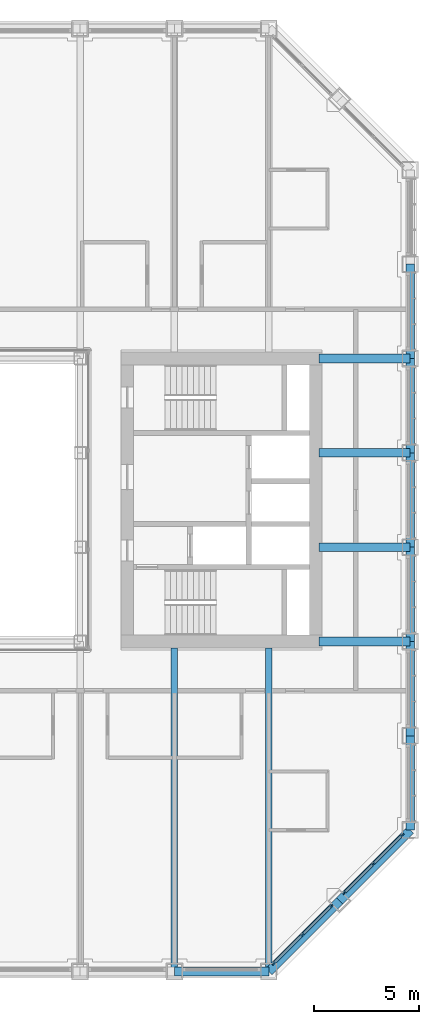
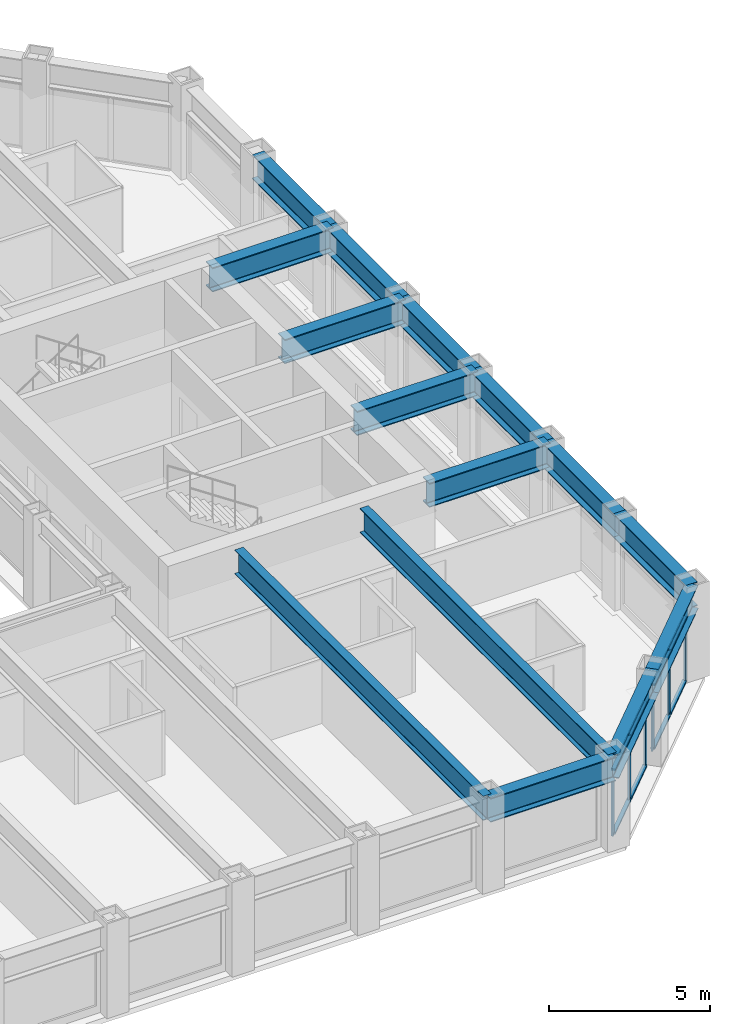
# One storey, part 6 of 17: 15 beams, 14 members, 2 elements without a shape of their own.
"""IFC4 building model written with IfcOpenShell, lengths in metres."""

from ifc_helpers import new_model, si_unit, direction, frame, origin, origin_2d, place, context, subcontext, project, spatial, rectangle, i_section, extrude, material, material_profile, profile_set, type_object, element, aggregate, save


model = new_model("IFC4")

# Units and contexts
model_context = context("Model", 3, precision=1e-05, world=origin(), true_north=direction((0.0, 1.0)))
body_context = subcontext(model_context, "Body", "Model", "MODEL_VIEW")
ifc_project = project(units=[si_unit("LENGTHUNIT", "METRE"), si_unit("AREAUNIT", "SQUARE_METRE"), si_unit("VOLUMEUNIT", "CUBIC_METRE"), si_unit("PLANEANGLEUNIT", "RADIAN"), si_unit("MASSUNIT", "GRAM", prefix="KILO")], contexts=[model_context])

# Site, building, storey
site_placement = place(None, origin())
site = spatial("IfcSite", under=ifc_project, at=site_placement, CompositionType="ELEMENT")
building_placement = place(site_placement, origin())
building = spatial("IfcBuilding", under=site, at=building_placement, Name="Msasa Ring Tower", CompositionType="ELEMENT")
storey_placement = place(building_placement, frame((0.0, 0.0, 129.199951171875)))
storey = spatial("IfcBuildingStorey", under=building, at=storey_placement, Name="L33", CompositionType="ELEMENT", Elevation=129.199951171875)

# Curtain wall, members
ifc_material_1 = material(Name="Aluminium curtain wall with clear glass", Category="aluminium")
curtain_wall_type = type_object("IfcCurtainWallType", Name="CW-C CHAMFER CORNER CURTAIN WALL", PredefinedType="NOTDEFINED", material=ifc_material_1)
curtain_wall_1_placement = place(storey_placement, origin())
curtain_wall_1 = element("IfcCurtainWall", 1, at=curtain_wall_1_placement, inside=storey, type_object=curtain_wall_type, Name="Chamfer corner curtain wall SE L33", PredefinedType="NOTDEFINED")
ifc_material_2 = material(Name="Aluminium mullion", Category="aluminium")
ifc_material_profile_1 = material_profile(ifc_material_2, rectangle(XDim=0.06494140625, YDim=0.179931640625, at=origin_2d()), Name="AL 65x180")
ifc_profile_set_1 = profile_set([ifc_material_profile_1], Name="Aluminium mullion")
member_type_1 = type_object("IfcMemberType", Name="CW-C MULLION 65x180", PredefinedType="MULLION", material=ifc_profile_set_1)
member_1_placement = place(storey_placement, frame((15.98876953125, -22.119873046875, 0.0), z_axis=(0.0, 0.0, 1.0), x_axis=(-0.707106781187, 0.707106781187, 0.0)))
member_1 = element("IfcMember", 2, at=member_1_placement, type_object=member_type_1, Name="CW-C mullion 1", PredefinedType="MULLION", context=body_context, shape_type="SweptSolid", body=[
    extrude(rectangle(XDim=0.06494140625, YDim=0.179931640625, at=origin_2d()), origin(), (0.0, 0.0, 1.0), 2.47900390625),
])
member_2_placement = place(storey_placement, frame((17.36669921875, -20.74169921875, 0.0), z_axis=(0.0, 0.0, 1.0), x_axis=(-0.707106781187, 0.707106781187, 0.0)))
member_2 = element("IfcMember", 3, at=member_2_placement, type_object=member_type_1, Name="CW-C mullion 2", PredefinedType="MULLION", context=body_context, shape_type="SweptSolid", body=[
    extrude(rectangle(XDim=0.06494140625, YDim=0.179931640625, at=origin_2d()), origin(), (0.0, 0.0, 1.0), 2.47900390625),
])
member_3_placement = place(storey_placement, frame((18.744873046875, -19.36376953125, 0.0), z_axis=(0.0, 0.0, 1.0), x_axis=(-0.707106781187, 0.707106781187, 0.0)))
member_3 = element("IfcMember", 4, at=member_3_placement, type_object=member_type_1, Name="CW-C mullion 3", PredefinedType="MULLION", context=body_context, shape_type="SweptSolid", body=[
    extrude(rectangle(XDim=0.06494140625, YDim=0.179931640625, at=origin_2d()), origin(), (0.0, 0.0, 1.0), 2.47900390625),
])

curtain_wall_2_placement = place(storey_placement, origin())
curtain_wall_2 = element("IfcCurtainWall", 5, at=curtain_wall_2_placement, inside=storey, type_object=curtain_wall_type, Name="Chamfer corner curtain wall SE L33", PredefinedType="NOTDEFINED")
member_4_placement = place(storey_placement, frame((19.36376953125, -18.744873046875, 0.0), z_axis=(0.0, 0.0, 1.0), x_axis=(-0.707106781187, 0.707106781187, 0.0)))
member_4 = element("IfcMember", 6, at=member_4_placement, type_object=member_type_1, Name="CW-C mullion 1", PredefinedType="MULLION", context=body_context, shape_type="SweptSolid", body=[
    extrude(rectangle(XDim=0.06494140625, YDim=0.179931640625, at=origin_2d()), origin(), (0.0, 0.0, 1.0), 2.47900390625),
])
member_5_placement = place(storey_placement, frame((20.74169921875, -17.36669921875, 0.0), z_axis=(0.0, 0.0, 1.0), x_axis=(-0.707106781187, 0.707106781187, 0.0)))
member_5 = element("IfcMember", 7, at=member_5_placement, type_object=member_type_1, Name="CW-C mullion 2", PredefinedType="MULLION", context=body_context, shape_type="SweptSolid", body=[
    extrude(rectangle(XDim=0.06494140625, YDim=0.179931640625, at=origin_2d()), origin(), (0.0, 0.0, 1.0), 2.47900390625),
])
member_6_placement = place(storey_placement, frame((22.119873046875, -15.98876953125, 0.0), z_axis=(0.0, 0.0, 1.0), x_axis=(-0.707106781187, 0.707106781187, 0.0)))
member_6 = element("IfcMember", 8, at=member_6_placement, type_object=member_type_1, Name="CW-C mullion 3", PredefinedType="MULLION", context=body_context, shape_type="SweptSolid", body=[
    extrude(rectangle(XDim=0.06494140625, YDim=0.179931640625, at=origin_2d()), origin(), (0.0, 0.0, 1.0), 2.47900390625),
])

# Member
ifc_material_3 = material(Name="Aluminium transom", Category="aluminium")
ifc_material_profile_2 = material_profile(ifc_material_3, rectangle(XDim=0.139892578125, YDim=0.06494140625, at=origin_2d()), Name="AL 65x140")
ifc_profile_set_2 = profile_set([ifc_material_profile_2], Name="Aluminium transom")
member_type_2 = type_object("IfcMemberType", Name="CW-C TRANSOM 65x140", PredefinedType="USERDEFINED", material=ifc_profile_set_2)
member_7_placement = place(storey_placement, frame((16.01171875, -22.096923828125, 0.032470703125), z_axis=(0.707106781187, 0.707106781187, 0.0), x_axis=(-0.707106781187, 0.707106781187, 0.0)))
member_7 = element("IfcMember", 9, at=member_7_placement, type_object=member_type_2, Name="CW-C transom 1.1", ObjectType="TRANSOM", PredefinedType="USERDEFINED", context=body_context, shape_type="SweptSolid", body=[
    extrude(rectangle(XDim=0.139892578125, YDim=0.06494140625, at=origin_2d()), origin(), (0.0, 0.0, 1.0), 1.8837890625),
])

member_8_placement = place(storey_placement, frame((16.01171875, -22.096923828125, 2.446533203125), z_axis=(0.707106781187, 0.707106781187, 0.0), x_axis=(-0.707106781187, 0.707106781187, 0.0)))
member_8 = element("IfcMember", 10, at=member_8_placement, type_object=member_type_2, Name="CW-C transom 1.2", ObjectType="TRANSOM", PredefinedType="USERDEFINED", context=body_context, shape_type="SweptSolid", body=[
    extrude(rectangle(XDim=0.139892578125, YDim=0.06494140625, at=origin_2d()), origin(), (0.0, 0.0, 1.0), 1.8837890625),
])

member_9_placement = place(storey_placement, frame((17.389892578125, -20.71875, 0.032470703125), z_axis=(0.707106781187, 0.707106781187, 0.0), x_axis=(-0.707106781187, 0.707106781187, 0.0)))
member_9 = element("IfcMember", 11, at=member_9_placement, type_object=member_type_2, Name="CW-C transom 2.1", ObjectType="TRANSOM", PredefinedType="USERDEFINED", context=body_context, shape_type="SweptSolid", body=[
    extrude(rectangle(XDim=0.139892578125, YDim=0.06494140625, at=origin_2d()), origin(), (0.0, 0.0, 1.0), 1.8837890625),
])

member_10_placement = place(storey_placement, frame((17.389892578125, -20.71875, 2.446533203125), z_axis=(0.707106781187, 0.707106781187, 0.0), x_axis=(-0.707106781187, 0.707106781187, 0.0)))
member_10 = element("IfcMember", 12, at=member_10_placement, type_object=member_type_2, Name="CW-C transom 2.2", ObjectType="TRANSOM", PredefinedType="USERDEFINED", context=body_context, shape_type="SweptSolid", body=[
    extrude(rectangle(XDim=0.139892578125, YDim=0.06494140625, at=origin_2d()), origin(), (0.0, 0.0, 1.0), 1.8837890625),
])

aggregate(curtain_wall_1, [member_1, member_2, member_3, member_7, member_8, member_9, member_10])

member_11_placement = place(storey_placement, frame((19.38671875, -18.721923828125, 0.032470703125), z_axis=(0.707106781187, 0.707106781187, 0.0), x_axis=(-0.707106781187, 0.707106781187, 0.0)))
member_11 = element("IfcMember", 13, at=member_11_placement, type_object=member_type_2, Name="CW-C transom 1.1", ObjectType="TRANSOM", PredefinedType="USERDEFINED", context=body_context, shape_type="SweptSolid", body=[
    extrude(rectangle(XDim=0.139892578125, YDim=0.06494140625, at=origin_2d()), origin(), (0.0, 0.0, 1.0), 1.8837890625),
])

member_12_placement = place(storey_placement, frame((19.38671875, -18.721923828125, 2.446533203125), z_axis=(0.707106781187, 0.707106781187, 0.0), x_axis=(-0.707106781187, 0.707106781187, 0.0)))
member_12 = element("IfcMember", 14, at=member_12_placement, type_object=member_type_2, Name="CW-C transom 1.2", ObjectType="TRANSOM", PredefinedType="USERDEFINED", context=body_context, shape_type="SweptSolid", body=[
    extrude(rectangle(XDim=0.139892578125, YDim=0.06494140625, at=origin_2d()), origin(), (0.0, 0.0, 1.0), 1.8837890625),
])

member_13_placement = place(storey_placement, frame((20.764892578125, -17.34375, 0.032470703125), z_axis=(0.707106781187, 0.707106781187, 0.0), x_axis=(-0.707106781187, 0.707106781187, 0.0)))
member_13 = element("IfcMember", 15, at=member_13_placement, type_object=member_type_2, Name="CW-C transom 2.1", ObjectType="TRANSOM", PredefinedType="USERDEFINED", context=body_context, shape_type="SweptSolid", body=[
    extrude(rectangle(XDim=0.139892578125, YDim=0.06494140625, at=origin_2d()), origin(), (0.0, 0.0, 1.0), 1.8837890625),
])

member_14_placement = place(storey_placement, frame((20.764892578125, -17.34375, 2.446533203125), z_axis=(0.707106781187, 0.707106781187, 0.0), x_axis=(-0.707106781187, 0.707106781187, 0.0)))
member_14 = element("IfcMember", 16, at=member_14_placement, type_object=member_type_2, Name="CW-C transom 2.2", ObjectType="TRANSOM", PredefinedType="USERDEFINED", context=body_context, shape_type="SweptSolid", body=[
    extrude(rectangle(XDim=0.139892578125, YDim=0.06494140625, at=origin_2d()), origin(), (0.0, 0.0, 1.0), 1.8837890625),
])

aggregate(curtain_wall_2, [member_4, member_5, member_6, member_11, member_12, member_13, member_14])

# Beams
ifc_material_4 = material(Name="Steel S355", Category="steel")
ifc_material_profile_3 = material_profile(ifc_material_4, i_section(OverallWidth=0.42041015625, OverallDepth=0.9208984375, WebThickness=0.021484375, FlangeThickness=0.03662109375, FilletRadius=0.024169921875, at=origin_2d()), Name="UB 914x419x388")
ifc_profile_set_3 = profile_set([ifc_material_profile_3], Name="Steel S355")
beam_type_1 = type_object("IfcBeamType", Name="FB2 UB 914x419x388", PredefinedType="BEAM", material=ifc_profile_set_3)
for number, where, z_axis, x_axis, name in (
    (17, (22.5, -2.25, 2.939453125), (-1.0, 0.0, 0.0), (0.0, -1.0, 0.0), "Floor beam E -2.25 under L34"),
    (18, (22.5, 2.25, 2.939453125), (-1.0, 0.0, 0.0), (0.0, -1.0, 0.0), "Floor beam E +2.25 under L34"),
):
    element("IfcBeam", number, at=place(storey_placement, frame(where, z_axis=z_axis, x_axis=x_axis)), inside=storey, type_object=beam_type_1, Name=name, PredefinedType="BEAM", context=body_context, shape_type="SweptSolid", body=[
        extrude(i_section(OverallWidth=0.42041015625, OverallDepth=0.9208984375, WebThickness=0.021484375, FlangeThickness=0.03662109375, FilletRadius=0.024169921875, at=origin_2d()), origin(), (0.0, 0.0, 1.0), 4.35009765625),
    ])
ifc_material_5 = material(Name="Steel S355", Category="steel")
ifc_material_profile_4 = material_profile(ifc_material_5, i_section(OverallWidth=0.3076171875, OverallDepth=0.926513671875, WebThickness=0.01953125, FlangeThickness=0.031982421875, FilletRadius=0.01904296875, at=origin_2d()), Name="UB 914x305x289")
ifc_profile_set_4 = profile_set([ifc_material_profile_4], Name="Steel S355")
beam_type_2 = type_object("IfcBeamType", Name="FB3 UB 914x305x289", PredefinedType="BEAM", material=ifc_profile_set_4)
for number, where, z_axis, x_axis, name in (
    (19, (11.25, -22.5, 2.936767578125), (0.0, 1.0, 0.0), (-1.0, 0.0, 0.0), "Floor beam S+11.25 under L34"),
    (20, (15.75, -22.5, 2.936767578125), (0.0, 1.0, 0.0), (-1.0, 0.0, 0.0), "Floor beam S+15.75 under L34"),
):
    element("IfcBeam", number, at=place(storey_placement, frame(where, z_axis=z_axis, x_axis=x_axis)), inside=storey, type_object=beam_type_2, Name=name, PredefinedType="BEAM", context=body_context, shape_type="SweptSolid", body=[
        extrude(i_section(OverallWidth=0.3076171875, OverallDepth=0.926513671875, WebThickness=0.01953125, FlangeThickness=0.031982421875, FilletRadius=0.01904296875, at=origin_2d()), origin(), (0.0, 0.0, 1.0), 15.449951171875),
    ])
ifc_material_6 = material(Name="Steel S355", Category="steel")
ifc_material_profile_5 = material_profile(ifc_material_6, i_section(OverallWidth=0.42041015625, OverallDepth=0.9208984375, WebThickness=0.021484375, FlangeThickness=0.03662109375, FilletRadius=0.024169921875, at=origin_2d()), Name="UB 914x419x388")
ifc_profile_set_5 = profile_set([ifc_material_profile_5], Name="Steel S355")
beam_type_3 = type_object("IfcBeamType", Name="GB1 UB 914x419x388", PredefinedType="BEAM", material=ifc_profile_set_5)
for number, where, z_axis, x_axis, name in (
    (21, (18.14990234375, 6.75, 2.939453125), (1.0, 0.0, 0.0), (0.0, 1.0, 0.0), "Girder E +6.75 under L34"),
    (22, (18.14990234375, -6.75, 2.939453125), (1.0, 0.0, 0.0), (0.0, 1.0, 0.0), "Girder E -6.75 under L34"),
):
    element("IfcBeam", number, at=place(storey_placement, frame(where, z_axis=z_axis, x_axis=x_axis)), inside=storey, type_object=beam_type_3, Name=name, PredefinedType="BEAM", context=body_context, shape_type="SweptSolid", body=[
        extrude(i_section(OverallWidth=0.42041015625, OverallDepth=0.9208984375, WebThickness=0.021484375, FlangeThickness=0.03662109375, FilletRadius=0.024169921875, at=origin_2d()), origin(), (0.0, 0.0, 1.0), 4.35009765625),
    ])
ifc_material_7 = material(Name="Steel S355", Category="steel")
ifc_material_profile_6 = material_profile(ifc_material_7, i_section(OverallWidth=0.42041015625, OverallDepth=0.9208984375, WebThickness=0.021484375, FlangeThickness=0.03662109375, FilletRadius=0.024169921875, at=origin_2d()), Name="UB 914x419x388")
ifc_profile_set_6 = profile_set([ifc_material_profile_6], Name="Steel S355")
beam_type_4 = type_object("IfcBeamType", Name="SB1 UB 914x419x388", PredefinedType="SPANDREL", material=ifc_profile_set_6)
beam_placement = place(storey_placement, frame((11.25, -22.5, 2.939453125), z_axis=(1.0, 0.0, 0.0), x_axis=(0.0, 1.0, 0.0)))
element("IfcBeam", 23, at=beam_placement, inside=storey, type_object=beam_type_4, Name="Spandrel S+11.25 to S+15.75 under L34", PredefinedType="SPANDREL", context=body_context, shape_type="SweptSolid", body=[
    extrude(i_section(OverallWidth=0.42041015625, OverallDepth=0.9208984375, WebThickness=0.021484375, FlangeThickness=0.03662109375, FilletRadius=0.024169921875, at=origin_2d()), origin(), (0.0, 0.0, 1.0), 4.5),
])
for number, where, z_axis, x_axis, name in (
    (24, (15.75, -22.5, 2.939453125), (0.707106781187, 0.707106781187, 0.0), (-0.707106781187, 0.707106781187, 0.0), "Spandrel S+15.75 to SE under L34"),
    (25, (19.125, -19.125, 2.939453125), (0.707106781187, 0.707106781187, 0.0), (-0.707106781187, 0.707106781187, 0.0), "Spandrel SE to E-15.75 under L34"),
):
    element("IfcBeam", number, at=place(storey_placement, frame(where, z_axis=z_axis, x_axis=x_axis)), inside=storey, type_object=beam_type_4, Name=name, PredefinedType="SPANDREL", context=body_context, shape_type="SweptSolid", body=[
        extrude(i_section(OverallWidth=0.42041015625, OverallDepth=0.9208984375, WebThickness=0.021484375, FlangeThickness=0.03662109375, FilletRadius=0.024169921875, at=origin_2d()), origin(), (0.0, 0.0, 1.0), 4.77294921875),
    ])
for number, where, z_axis, x_axis, name in (
    (26, (22.5, -15.75, 2.939453125), (0.0, 1.0, 0.0), (-1.0, 0.0, 0.0), "Spandrel E-15.75 to E-11.25 under L34"),
    (27, (22.5, -11.25, 2.939453125), (0.0, 1.0, 0.0), (-1.0, 0.0, 0.0), "Spandrel E-11.25 to E-6.75 under L34"),
    (28, (22.5, -6.75, 2.939453125), (0.0, 1.0, 0.0), (-1.0, 0.0, 0.0), "Spandrel E-6.75 to E-2.25 under L34"),
    (29, (22.5, -2.25, 2.939453125), (0.0, 1.0, 0.0), (-1.0, 0.0, 0.0), "Spandrel E-2.25 to E+2.25 under L34"),
    (30, (22.5, 2.25, 2.939453125), (0.0, 1.0, 0.0), (-1.0, 0.0, 0.0), "Spandrel E+2.25 to E+6.75 under L34"),
    (31, (22.5, 6.75, 2.939453125), (0.0, 1.0, 0.0), (-1.0, 0.0, 0.0), "Spandrel E+6.75 to E+11.25 under L34"),
):
    element("IfcBeam", number, at=place(storey_placement, frame(where, z_axis=z_axis, x_axis=x_axis)), inside=storey, type_object=beam_type_4, Name=name, PredefinedType="SPANDREL", context=body_context, shape_type="SweptSolid", body=[
        extrude(i_section(OverallWidth=0.42041015625, OverallDepth=0.9208984375, WebThickness=0.021484375, FlangeThickness=0.03662109375, FilletRadius=0.024169921875, at=origin_2d()), origin(), (0.0, 0.0, 1.0), 4.5),
    ])

save(model, "model.ifc")
